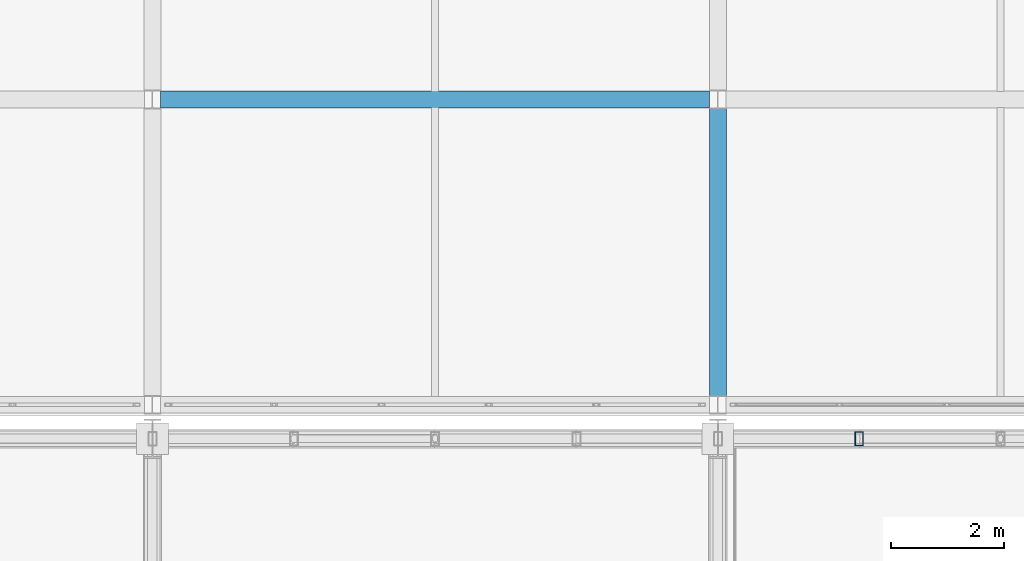
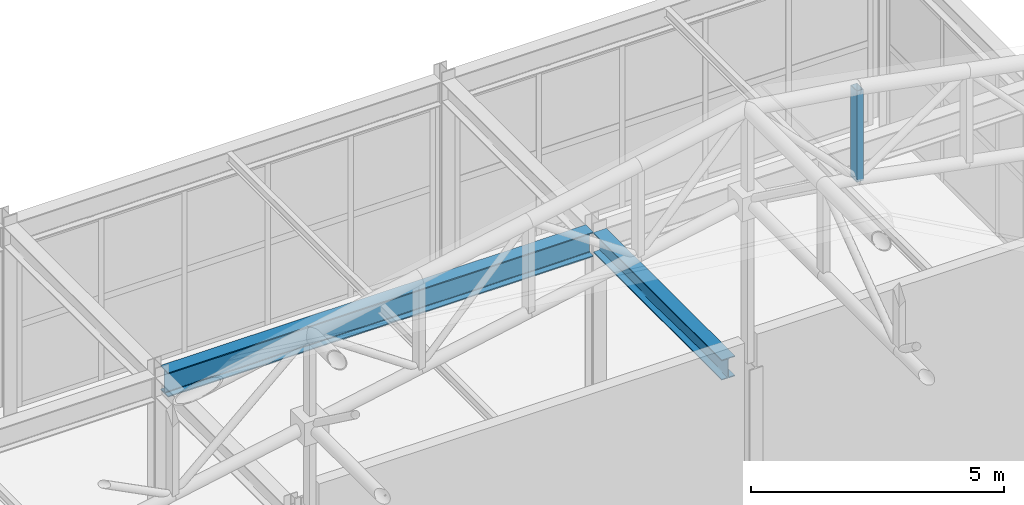
# One storey, part 72 of 112: 2 beams, 1 member.
"""IFC4 building model written with IfcOpenShell, lengths in metres."""

from ifc_helpers import new_model, si_unit, direction, frame, origin, origin_2d, place, context, subcontext, project, spatial, hollow_rectangle, i_section, extrude, material, material_profile, profile_set, type_object, element, save


model = new_model("IFC4")

# Units and contexts
model_context = context("Model", 3, precision=1e-05, world=origin(), true_north=direction((0.0, 1.0)))
body_context = subcontext(model_context, "Body", "Model", "MODEL_VIEW")
ifc_project = project(units=[si_unit("LENGTHUNIT", "METRE"), si_unit("AREAUNIT", "SQUARE_METRE"), si_unit("VOLUMEUNIT", "CUBIC_METRE"), si_unit("PLANEANGLEUNIT", "RADIAN"), si_unit("MASSUNIT", "GRAM", prefix="KILO")], contexts=[model_context])

# Site, building, storey
site_placement = place(None, origin())
site = spatial("IfcSite", under=ifc_project, at=site_placement, CompositionType="ELEMENT")
building_placement = place(site_placement, origin())
building = spatial("IfcBuilding", under=site, at=building_placement, Name="Kaldris Quays Convention Centre", CompositionType="ELEMENT")
storey_placement = place(building_placement, frame((0.0, 0.0, 16.800048828125)))
storey = spatial("IfcBuildingStorey", under=building, at=storey_placement, Name="L03", CompositionType="ELEMENT", Elevation=16.800048828125)

# Beams
ifc_material_1 = material(Name="Steel S355J2", Category="steel")
ifc_material_profile_1 = material_profile(ifc_material_1, i_section(OverallWidth=0.300048828125, OverallDepth=0.590087890625, WebThickness=0.012939453125, FlangeThickness=0.02490234375, FilletRadius=0.027099609375, at=origin_2d()), Name="HEA 600")
ifc_profile_set_1 = profile_set([ifc_material_profile_1], Name="Steel S355J2")
beam_type_1 = type_object("IfcBeamType", Name="STRUCTURAL BEAM BM08", PredefinedType="BEAM", material=ifc_profile_set_1)
beam_1_placement = place(storey_placement, frame((174.14404296875, 110.0, 4.286865234375), z_axis=(1.0, 0.0, 0.0), x_axis=(0.0, 1.0, 0.0)))
element("IfcBeam", 1, at=beam_1_placement, inside=storey, type_object=beam_type_1, Name="L03 Girder BM08 49", PredefinedType="BEAM", context=body_context, shape_type="SweptSolid", body=[
    extrude(i_section(OverallWidth=0.300048828125, OverallDepth=0.590087890625, WebThickness=0.012939453125, FlangeThickness=0.02490234375, FilletRadius=0.027099609375, at=origin_2d()), origin(), (0.0, 0.0, 1.0), 9.7119140625),
])
ifc_material_profile_2 = material_profile(ifc_material_1, i_section(OverallWidth=0.300048828125, OverallDepth=0.489990234375, WebThickness=0.011962890625, FlangeThickness=0.02294921875, FilletRadius=0.027099609375, at=origin_2d()), Name="HEA 500")
ifc_profile_set_2 = profile_set([ifc_material_profile_2], Name="Steel S355J2")
beam_type_2 = type_object("IfcBeamType", Name="STRUCTURAL BEAM BM09", PredefinedType="BEAM", material=ifc_profile_set_2)
beam_2_placement = place(storey_placement, frame((184.0, 104.759033203125, 4.3369140625), z_axis=(0.0, 1.0, 0.0), x_axis=(-1.0, 0.0, 0.0)))
element("IfcBeam", 2, at=beam_2_placement, inside=storey, type_object=beam_type_2, Name="L03 Girder BM09 106", PredefinedType="BEAM", context=body_context, shape_type="SweptSolid", body=[
    extrude(i_section(OverallWidth=0.300048828125, OverallDepth=0.489990234375, WebThickness=0.011962890625, FlangeThickness=0.02294921875, FilletRadius=0.027099609375, at=origin_2d()), origin(), (0.0, 0.0, 1.0), 5.08203125),
])

# Member
ifc_material_2 = material(Name="Steel S355J2H", Category="steel")
ifc_material_profile_3 = material_profile(ifc_material_2, hollow_rectangle(XDim=0.14990234375, YDim=0.25, WallThickness=0.010009765625, at=origin_2d()), Name="RHS 250x150x10")
ifc_profile_set_3 = profile_set([ifc_material_profile_3], Name="Steel S355J2H")
member_type = type_object("IfcMemberType", Name="STRUCTURAL MEMBER TTV1", PredefinedType="POST", material=ifc_profile_set_3)
member_placement = place(storey_placement, frame((186.5, 104.0, 8.506103515625), z_axis=(0.0, 0.0, 1.0), x_axis=(1.0, 0.0, 0.0)))
element("IfcMember", 3, at=member_placement, inside=storey, type_object=member_type, Name="SF-V2 Space-Frame Post 81", PredefinedType="POST", context=body_context, shape_type="SweptSolid", body=[
    extrude(hollow_rectangle(XDim=0.14990234375, YDim=0.25, WallThickness=0.010009765625, at=origin_2d()), origin(), (0.0, 0.0, 1.0), 2.199951171875),
])

save(model, "model.ifc")
